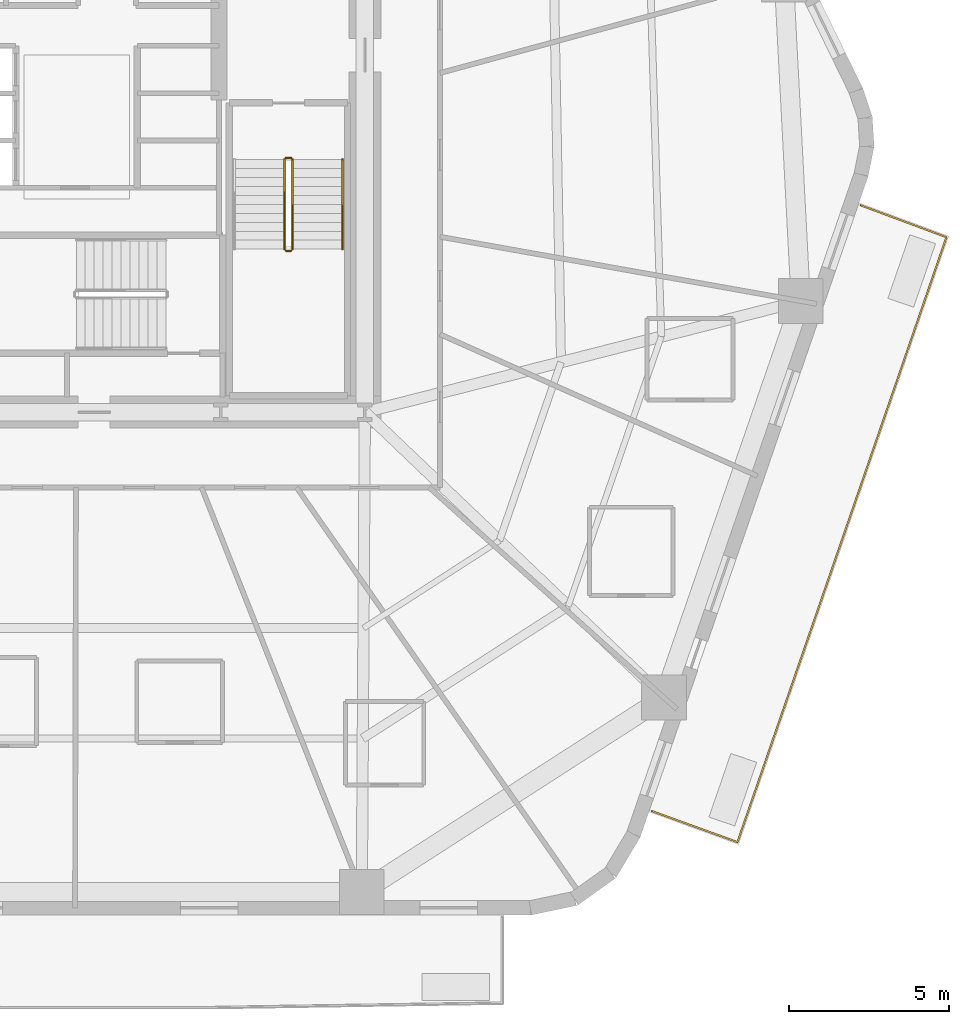
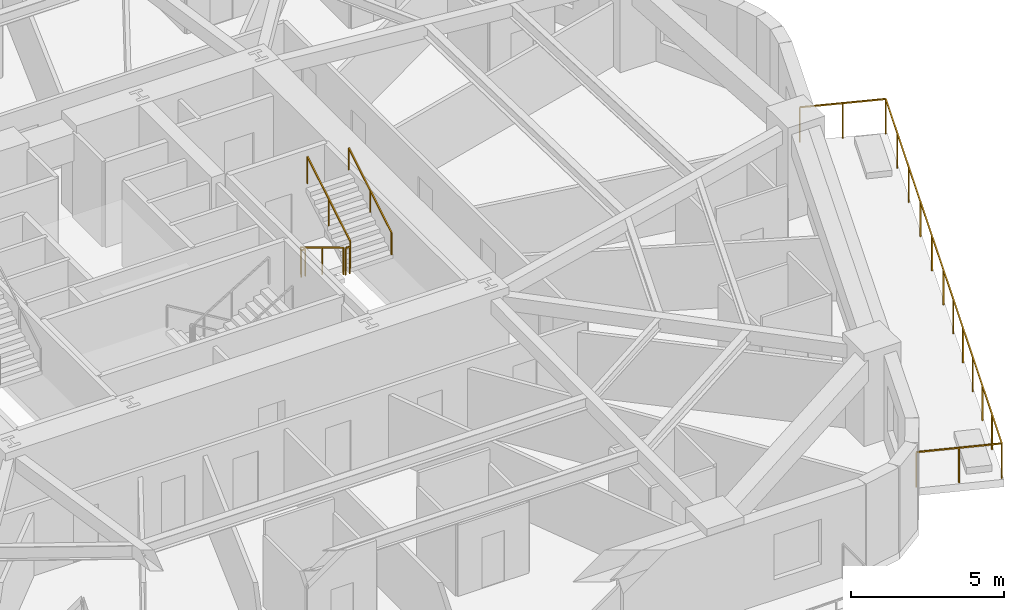
# One storey, part 10 of 11: 6 railings.
"""IFC4 building model written with IfcOpenShell, lengths in metres."""

from ifc_helpers import new_model, si_unit, direction, frame, origin, origin_2d, place, context, subcontext, project, spatial, rectangle, extrude, material, layer, layer_set, type_object, element, save


model = new_model("IFC4")

# Units and contexts
model_context = context("Model", 3, precision=1e-05, world=origin(), true_north=direction((0.0, 1.0)))
body_context = subcontext(model_context, "Body", "Model", "MODEL_VIEW")
ifc_project = project(units=[si_unit("LENGTHUNIT", "METRE"), si_unit("AREAUNIT", "SQUARE_METRE"), si_unit("VOLUMEUNIT", "CUBIC_METRE"), si_unit("PLANEANGLEUNIT", "RADIAN"), si_unit("MASSUNIT", "GRAM", prefix="KILO")], contexts=[model_context])

# Site, building, storey
site_placement = place(None, origin())
site = spatial("IfcSite", under=ifc_project, at=site_placement, CompositionType="ELEMENT")
building_placement = place(site_placement, origin())
building = spatial("IfcBuilding", under=site, at=building_placement, Name="Kilnhurst Terrace Hotel", CompositionType="ELEMENT")
storey_placement = place(building_placement, frame((0.0, 0.0, 37.89990234375)))
storey = spatial("IfcBuildingStorey", under=building, at=storey_placement, Name="L07", CompositionType="ELEMENT", Elevation=37.89990234375)

# Railings
ifc_material_1 = material(Name="Laminated SentryGlas and Stainless Steel AISI 316L Balustrade", Category="steel")
ifc_layer_1 = layer(ifc_material_1, 0.070068359375, Name="Laminated SentryGlas and Stainless Steel AISI 316L Balustrade")
ifc_layer_set_1 = layer_set([ifc_layer_1], Name="Laminated SentryGlas and Stainless Steel AISI 316L Balustrade")
railing_type_1 = type_object("IfcRailingType", Name="RLG-BAL-1420", PredefinedType="BALUSTRADE", material=ifc_layer_set_1)
railing_1_placement = place(storey_placement, frame((24.485107421875, -1.041748046875, 0.0)))
element("IfcRailing", 1, at=railing_1_placement, inside=storey, type_object=railing_type_1, Name="L07 Exterior Terrace Guardrail BAL-L1B.1", PredefinedType="BALUSTRADE", context=body_context, shape_type="SweptSolid", body=[
    extrude(rectangle(XDim=0.048095703125, YDim=0.048095703125, at=origin_2d()), frame((0.0, 0.0, 1.39599609375), z_axis=(0.937279097592, -0.348579823308, 0.0), x_axis=(0.348579823308, 0.937279097592, 0.0)), (0.0, 0.0, 1.0), 2.85205078125),
    extrude(rectangle(XDim=0.048095703125, YDim=0.048095703125, at=origin_2d()), frame((2.673095703125, -0.994140625, 1.39599609375), z_axis=(-0.326159116329, -0.945314884488, 0.0), x_axis=(0.945314884488, -0.326159116329, 0.0)), (0.0, 0.0, 1.0), 9.91650390625),
    extrude(rectangle(XDim=0.048095703125, YDim=0.048095703125, at=origin_2d()), frame((-0.561279296875, -10.368408203125, 1.39599609375), z_axis=(-0.326903959129, -0.945057565181, 0.0), x_axis=(0.945057565181, -0.326903959129, 0.0)), (0.0, 0.0, 1.0), 10.065673828125),
    extrude(rectangle(XDim=0.048095703125, YDim=0.048095703125, at=origin_2d()), frame((-3.851806640625, -19.881103515625, 1.39599609375), z_axis=(-0.939926315563, 0.341377388402, 0.0), x_axis=(-0.341377388402, -0.939926315563, 0.0)), (0.0, 0.0, 1.0), 2.84130859375),
    extrude(rectangle(XDim=0.0419921875, YDim=0.0419921875, at=origin_2d()), origin(), (0.0, 0.0, 1.0), 1.371826171875),
    extrude(rectangle(XDim=0.0419921875, YDim=0.0419921875, at=origin_2d()), frame((1.33642578125, -0.4970703125, 0.0)), (0.0, 0.0, 1.0), 1.371826171875),
    extrude(rectangle(XDim=0.0419921875, YDim=0.0419921875, at=origin_2d()), frame((2.673095703125, -0.994140625, 0.0)), (0.0, 0.0, 1.0), 1.371826171875),
    extrude(rectangle(XDim=0.0419921875, YDim=0.0419921875, at=origin_2d()), frame((2.026123046875, -2.868896484375, 0.0)), (0.0, 0.0, 1.0), 1.371826171875),
    extrude(rectangle(XDim=0.0419921875, YDim=0.0419921875, at=origin_2d()), frame((1.37939453125, -4.743896484375, 0.0)), (0.0, 0.0, 1.0), 1.371826171875),
    extrude(rectangle(XDim=0.0419921875, YDim=0.0419921875, at=origin_2d()), frame((0.732421875, -6.61865234375, 0.0)), (0.0, 0.0, 1.0), 1.371826171875),
    extrude(rectangle(XDim=0.0419921875, YDim=0.0419921875, at=origin_2d()), frame((0.085693359375, -8.49365234375, 0.0)), (0.0, 0.0, 1.0), 1.371826171875),
    extrude(rectangle(XDim=0.0419921875, YDim=0.0419921875, at=origin_2d()), frame((-0.561279296875, -10.368408203125, 0.0)), (0.0, 0.0, 1.0), 1.371826171875),
    extrude(rectangle(XDim=0.0419921875, YDim=0.0419921875, at=origin_2d()), frame((-1.109619140625, -11.953857421875, 0.0)), (0.0, 0.0, 1.0), 1.371826171875),
    extrude(rectangle(XDim=0.0419921875, YDim=0.0419921875, at=origin_2d()), frame((-1.658203125, -13.539306640625, 0.0)), (0.0, 0.0, 1.0), 1.371826171875),
    extrude(rectangle(XDim=0.0419921875, YDim=0.0419921875, at=origin_2d()), frame((-2.20654296875, -15.124755859375, 0.0)), (0.0, 0.0, 1.0), 1.371826171875),
    extrude(rectangle(XDim=0.0419921875, YDim=0.0419921875, at=origin_2d()), frame((-2.7548828125, -16.710205078125, 0.0)), (0.0, 0.0, 1.0), 1.371826171875),
    extrude(rectangle(XDim=0.0419921875, YDim=0.0419921875, at=origin_2d()), frame((-3.303466796875, -18.295654296875, 0.0)), (0.0, 0.0, 1.0), 1.371826171875),
    extrude(rectangle(XDim=0.0419921875, YDim=0.0419921875, at=origin_2d()), frame((-3.851806640625, -19.881103515625, 0.0)), (0.0, 0.0, 1.0), 1.371826171875),
    extrude(rectangle(XDim=0.0419921875, YDim=0.0419921875, at=origin_2d()), frame((-5.18701171875, -19.39599609375, 0.0)), (0.0, 0.0, 1.0), 1.371826171875),
    extrude(rectangle(XDim=0.0419921875, YDim=0.0419921875, at=origin_2d()), frame((-6.5224609375, -18.9111328125, 0.0)), (0.0, 0.0, 1.0), 1.371826171875),
])
ifc_material_2 = material(Name="Powder-Coated Steel ASTM A500 Grade B", Category="steel")
ifc_layer_2 = layer(ifc_material_2, 0.050048828125, Name="Powder-Coated Steel ASTM A500 Grade B")
ifc_layer_set_2 = layer_set([ifc_layer_2], Name="Powder-Coated Steel ASTM A500 Grade B")
railing_type_2 = type_object("IfcRailingType", Name="RLG-ST-GRD-1100", PredefinedType="GUARDRAIL", material=ifc_layer_set_2)
railing_2_placement = place(storey_placement, frame((6.489990234375, 0.389892578125, 0.168212890625)))
element("IfcRailing", 2, at=railing_2_placement, inside=storey, type_object=railing_type_2, Name="L07 ST-2 stair guard 1", PredefinedType="GUARDRAIL", context=body_context, shape_type="SweptSolid", body=[
    extrude(rectangle(XDim=0.048095703125, YDim=0.048095703125, at=origin_2d()), frame((0.0, 0.0, 1.076171875), z_axis=(0.0, -0.857222391501, 0.514946377315), x_axis=(1.0, 0.0, 0.0)), (0.0, 0.0, 1.0), 3.26611328125),
    extrude(rectangle(XDim=0.0419921875, YDim=0.0419921875, at=origin_2d()), origin(), (0.0, 0.0, 1.0), 1.052001953125),
    extrude(rectangle(XDim=0.0419921875, YDim=0.0419921875, at=origin_2d()), frame((0.0, -1.39990234375, 0.8408203125)), (0.0, 0.0, 1.0), 1.052001953125),
    extrude(rectangle(XDim=0.0419921875, YDim=0.0419921875, at=origin_2d()), frame((0.0, -2.7998046875, 1.681884765625)), (0.0, 0.0, 1.0), 1.052001953125),
])
railing_3_placement = place(storey_placement, frame((6.5400390625, -2.4599609375, 1.85009765625)))
element("IfcRailing", 3, at=railing_3_placement, inside=storey, type_object=railing_type_2, Name="L07 ST-2 stair guard 2", PredefinedType="GUARDRAIL", context=body_context, shape_type="SweptSolid", body=[
    extrude(rectangle(XDim=0.048095703125, YDim=0.048095703125, at=origin_2d()), frame((0.0, 0.0, 1.076171875), z_axis=(1.0, 0.0, 0.0), x_axis=(0.0, 1.0, 0.0)), (0.0, 0.0, 1.0), 0.14990234375),
    extrude(rectangle(XDim=0.0419921875, YDim=0.0419921875, at=origin_2d()), origin(), (0.0, 0.0, 1.0), 1.052001953125),
    extrude(rectangle(XDim=0.0419921875, YDim=0.0419921875, at=origin_2d()), frame((0.14990234375, 0.0, 0.0)), (0.0, 0.0, 1.0), 1.052001953125),
])
railing_4_placement = place(storey_placement, frame((6.739990234375, -2.409912109375, 2.018310546875)))
element("IfcRailing", 4, at=railing_4_placement, inside=storey, type_object=railing_type_2, Name="L07 ST-2 stair guard 3", PredefinedType="GUARDRAIL", context=body_context, shape_type="SweptSolid", body=[
    extrude(rectangle(XDim=0.048095703125, YDim=0.048095703125, at=origin_2d()), frame((0.0, 0.0, 1.076171875), z_axis=(0.0, 0.857222391501, 0.514946377315), x_axis=(-1.0, 0.0, 0.0)), (0.0, 0.0, 1.0), 3.26611328125),
    extrude(rectangle(XDim=0.0419921875, YDim=0.0419921875, at=origin_2d()), origin(), (0.0, 0.0, 1.0), 1.052001953125),
    extrude(rectangle(XDim=0.0419921875, YDim=0.0419921875, at=origin_2d()), frame((0.0, 1.39990234375, 0.8408203125)), (0.0, 0.0, 1.0), 1.052001953125),
    extrude(rectangle(XDim=0.0419921875, YDim=0.0419921875, at=origin_2d()), frame((0.0, 2.7998046875, 1.681884765625)), (0.0, 0.0, 1.0), 1.052001953125),
])
railing_5_placement = place(storey_placement, frame((6.5400390625, 0.43994140625, 0.0)))
element("IfcRailing", 5, at=railing_5_placement, inside=storey, type_object=railing_type_2, Name="L07 ST-2 stair guard 4", PredefinedType="GUARDRAIL", context=body_context, shape_type="SweptSolid", body=[
    extrude(rectangle(XDim=0.048095703125, YDim=0.048095703125, at=origin_2d()), frame((0.0, 0.0, 1.076171875), z_axis=(1.0, 0.0, 0.0), x_axis=(0.0, 1.0, 0.0)), (0.0, 0.0, 1.0), 0.14990234375),
    extrude(rectangle(XDim=0.0419921875, YDim=0.0419921875, at=origin_2d()), origin(), (0.0, 0.0, 1.0), 1.052001953125),
    extrude(rectangle(XDim=0.0419921875, YDim=0.0419921875, at=origin_2d()), frame((0.14990234375, 0.0, 0.0)), (0.0, 0.0, 1.0), 1.052001953125),
])
ifc_material_3 = material(Name="Brushed Stainless Steel AISI 304", Category="steel")
ifc_layer_3 = layer(ifc_material_3, 0.048095703125, Name="Brushed Stainless Steel AISI 304")
ifc_layer_set_3 = layer_set([ifc_layer_3], Name="Brushed Stainless Steel AISI 304")
railing_type_3 = type_object("IfcRailingType", Name="RLG-ST-HRL-900", PredefinedType="HANDRAIL", material=ifc_layer_set_3)
railing_6_placement = place(storey_placement, frame((8.300048828125, -2.409912109375, 2.018310546875)))
element("IfcRailing", 6, at=railing_6_placement, inside=storey, type_object=railing_type_3, Name="L07 ST-2 stair handrail 2", PredefinedType="HANDRAIL", context=body_context, shape_type="SweptSolid", body=[
    extrude(rectangle(XDim=0.048095703125, YDim=0.048095703125, at=origin_2d()), frame((0.0, 0.0, 0.8759765625), z_axis=(0.0, 0.857222391501, 0.514946377315), x_axis=(-1.0, 0.0, 0.0)), (0.0, 0.0, 1.0), 3.26611328125),
    extrude(rectangle(XDim=0.0419921875, YDim=0.0419921875, at=origin_2d()), origin(), (0.0, 0.0, 1.0), 0.851806640625),
    extrude(rectangle(XDim=0.0419921875, YDim=0.0419921875, at=origin_2d()), frame((0.0, 1.39990234375, 0.8408203125)), (0.0, 0.0, 1.0), 0.851806640625),
    extrude(rectangle(XDim=0.0419921875, YDim=0.0419921875, at=origin_2d()), frame((0.0, 2.7998046875, 1.681884765625)), (0.0, 0.0, 1.0), 0.851806640625),
])

save(model, "model.ifc")
